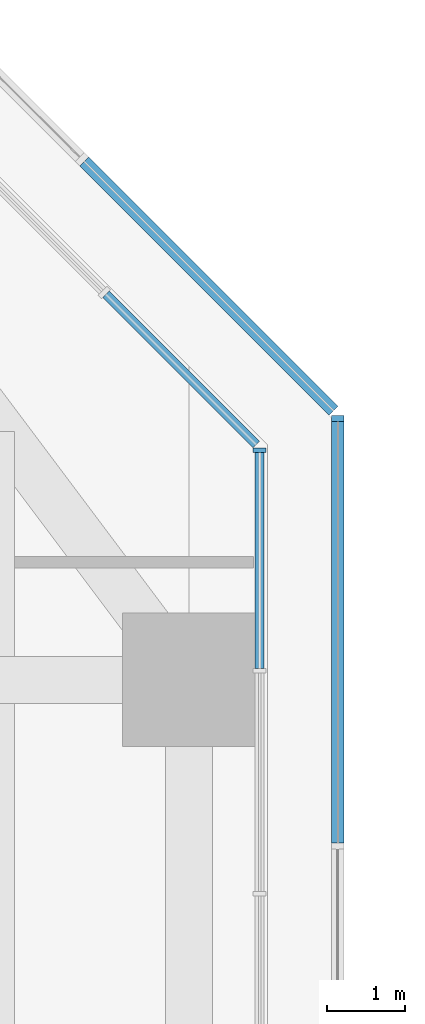
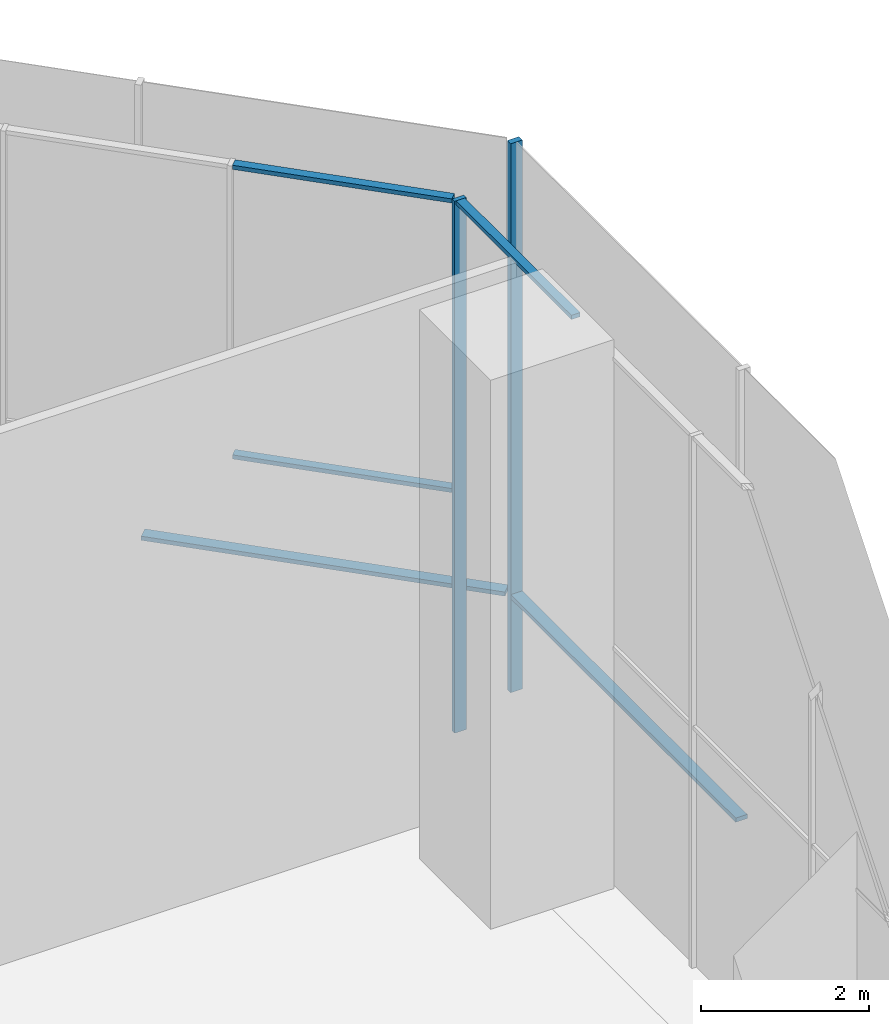
# One storey, part 13 of 25: 7 members, 4 elements without a shape of their own.
"""IFC4 building model written with IfcOpenShell, lengths in metres."""

from ifc_helpers import new_model, si_unit, direction, frame, origin, origin_2d, place, context, subcontext, project, spatial, rectangle, extrude, material, material_profile, profile_set, type_object, element, aggregate, save


model = new_model("IFC4")

# Units and contexts
model_context = context("Model", 3, precision=1e-05, world=origin(), true_north=direction((0.0, 1.0)))
body_context = subcontext(model_context, "Body", "Model", "MODEL_VIEW")
ifc_project = project(units=[si_unit("LENGTHUNIT", "METRE"), si_unit("AREAUNIT", "SQUARE_METRE"), si_unit("VOLUMEUNIT", "CUBIC_METRE"), si_unit("PLANEANGLEUNIT", "RADIAN"), si_unit("MASSUNIT", "GRAM", prefix="KILO")], contexts=[model_context])

# Site, building, storey
site_placement = place(None, origin())
site = spatial("IfcSite", under=ifc_project, at=site_placement, CompositionType="ELEMENT")
building_placement = place(site_placement, origin())
building = spatial("IfcBuilding", under=site, at=building_placement, Name="Mizan Broadcast Tower", CompositionType="ELEMENT")
storey_placement = place(building_placement, frame((0.0, 0.0, 15.0)))
storey = spatial("IfcBuildingStorey", under=building, at=storey_placement, Name="L02", CompositionType="ELEMENT", Elevation=15.0)

# Curtain wall, members
ifc_material_1 = material(Name="Aluminium framed glazing", Category="aluminium")
curtain_wall_type_1 = type_object("IfcCurtainWallType", Name="PODIUM CURTAIN WALL", PredefinedType="USERDEFINED", material=ifc_material_1)
curtain_wall_1_placement = place(storey_placement, origin())
curtain_wall_1 = element("IfcCurtainWall", 1, at=curtain_wall_1_placement, inside=storey, type_object=curtain_wall_type_1, Name="Podium curtain wall L02 N side", ObjectType="PODIUM CURTAIN WALL", PredefinedType="USERDEFINED")
ifc_material_2 = material(Name="Aluminium, pale anodised", Category="aluminium")
ifc_material_profile_1 = material_profile(ifc_material_2, rectangle(XDim=0.159912109375, YDim=0.06005859375, at=origin_2d()), Name="MULLION 160x60")
ifc_profile_set_1 = profile_set([ifc_material_profile_1], Name="Aluminium, pale anodised")
member_type_1 = type_object("IfcMemberType", Name="INNER SKIN MULLION 60x160", PredefinedType="MULLION", material=ifc_profile_set_1)
member_1_placement = place(storey_placement, frame((12.89990234375, 29.928466796875, 0.0), z_axis=(0.0, 0.0, 1.0), x_axis=(-1.0, 0.0, 0.0)))
member_1 = element("IfcMember", 2, at=member_1_placement, type_object=member_type_1, Name="Podium curtain wall L02 N side mullion 7", PredefinedType="MULLION", context=body_context, shape_type="SweptSolid", body=[
    extrude(rectangle(XDim=0.159912109375, YDim=0.06005859375, at=origin_2d()), origin(), (0.0, 0.0, 1.0), 7.75),
])
ifc_material_3 = material(Name="Aluminium, pale anodised", Category="aluminium")
ifc_material_profile_2 = material_profile(ifc_material_3, rectangle(XDim=0.1201171875, YDim=0.06005859375, at=origin_2d()), Name="TRANSOM 120x60")
ifc_profile_set_2 = profile_set([ifc_material_profile_2], Name="Aluminium, pale anodised")
member_type_2 = type_object("IfcMemberType", Name="INNER SKIN TRANSOM 60x120", PredefinedType="USERDEFINED", material=ifc_profile_set_2)
member_2_placement = place(storey_placement, frame((12.89990234375, 27.1455078125, 7.719970703125), z_axis=(0.0, 1.0, 0.0), x_axis=(-1.0, 0.0, 0.0)))
member_2 = element("IfcMember", 3, at=member_2_placement, type_object=member_type_2, Name="Podium curtain wall L02 N side transom 6.2", ObjectType="TRANSOM", PredefinedType="USERDEFINED", context=body_context, shape_type="SweptSolid", body=[
    extrude(rectangle(XDim=0.1201171875, YDim=0.06005859375, at=origin_2d()), origin(), (0.0, 0.0, 1.0), 2.753173828125),
])
aggregate(curtain_wall_1, [member_1, member_2])

curtain_wall_2_placement = place(storey_placement, origin())
curtain_wall_2 = element("IfcCurtainWall", 4, at=curtain_wall_2_placement, inside=storey, type_object=curtain_wall_type_1, Name="Podium curtain wall L02 N chamfer", ObjectType="PODIUM CURTAIN WALL", PredefinedType="USERDEFINED")
member_3_placement = place(storey_placement, frame((12.857666015625, 30.0009765625, 3.5), z_axis=(-0.707151809797, 0.707061749709, 0.0), x_axis=(-0.707061749709, -0.707151809797, 0.0)))
member_3 = element("IfcMember", 5, at=member_3_placement, type_object=member_type_2, Name="Podium curtain wall L02 N chamfer transom 1.1", ObjectType="TRANSOM", PredefinedType="USERDEFINED", context=body_context, shape_type="SweptSolid", body=[
    extrude(rectangle(XDim=0.1201171875, YDim=0.06005859375, at=origin_2d()), origin(), (0.0, 0.0, 1.0), 2.7109375),
])
member_4_placement = place(storey_placement, frame((12.857666015625, 30.0009765625, 7.719970703125), z_axis=(-0.707151809797, 0.707061749709, 0.0), x_axis=(-0.707061749709, -0.707151809797, 0.0)))
member_4 = element("IfcMember", 6, at=member_4_placement, type_object=member_type_2, Name="Podium curtain wall L02 N chamfer transom 1.2", ObjectType="TRANSOM", PredefinedType="USERDEFINED", context=body_context, shape_type="SweptSolid", body=[
    extrude(rectangle(XDim=0.1201171875, YDim=0.06005859375, at=origin_2d()), origin(), (0.0, 0.0, 1.0), 2.7109375),
])
aggregate(curtain_wall_2, [member_3, member_4])

ifc_material_4 = material(Name="Aluminium framed glazing", Category="aluminium")
curtain_wall_type_2 = type_object("IfcCurtainWallType", Name="OUTER SKIN", PredefinedType="USERDEFINED", material=ifc_material_4)
curtain_wall_3_placement = place(storey_placement, origin())
curtain_wall_3 = element("IfcCurtainWall", 7, at=curtain_wall_3_placement, inside=storey, type_object=curtain_wall_type_2, Name="Outer skin L02 N side", ObjectType="OUTER SKIN", PredefinedType="USERDEFINED")
ifc_material_5 = material(Name="Aluminium, pale anodised", Category="aluminium")
ifc_material_profile_3 = material_profile(ifc_material_5, rectangle(XDim=0.159912109375, YDim=0.080078125, at=origin_2d()), Name="MULLION 160x80")
ifc_profile_set_3 = profile_set([ifc_material_profile_3], Name="Aluminium, pale anodised")
member_type_3 = type_object("IfcMemberType", Name="OUTER SKIN MULLION 80x160", PredefinedType="MULLION", material=ifc_profile_set_3)
member_5_placement = place(storey_placement, frame((13.89990234375, 30.332763671875, 0.0), z_axis=(0.0, 0.0, 1.0), x_axis=(-1.0, 0.0, 0.0)))
member_5 = element("IfcMember", 8, at=member_5_placement, type_object=member_type_3, Name="Outer skin L02 N side mullion 4", PredefinedType="MULLION", context=body_context, shape_type="SweptSolid", body=[
    extrude(rectangle(XDim=0.159912109375, YDim=0.080078125, at=origin_2d()), origin(), (0.0, 0.0, 1.0), 8.0),
])
ifc_material_6 = material(Name="Aluminium, pale anodised", Category="aluminium")
ifc_material_profile_4 = material_profile(ifc_material_6, rectangle(XDim=0.159912109375, YDim=0.06005859375, at=origin_2d()), Name="TRANSOM 160x60")
ifc_profile_set_4 = profile_set([ifc_material_profile_4], Name="Aluminium, pale anodised")
member_type_4 = type_object("IfcMemberType", Name="OUTER SKIN TRANSOM 60x160", PredefinedType="USERDEFINED", material=ifc_profile_set_4)
member_6_placement = place(storey_placement, frame((13.89990234375, 24.921875, 1.39990234375), z_axis=(0.0, 1.0, 0.0), x_axis=(-1.0, 0.0, 0.0)))
member_6 = element("IfcMember", 9, at=member_6_placement, type_object=member_type_4, Name="Outer skin L02 N side transom 3.1", ObjectType="TRANSOM", PredefinedType="USERDEFINED", context=body_context, shape_type="SweptSolid", body=[
    extrude(rectangle(XDim=0.159912109375, YDim=0.06005859375, at=origin_2d()), origin(), (0.0, 0.0, 1.0), 5.370849609375),
])
aggregate(curtain_wall_3, [member_5, member_6])

# Curtain wall, member
curtain_wall_4_placement = place(storey_placement, origin())
curtain_wall_4 = element("IfcCurtainWall", 10, at=curtain_wall_4_placement, inside=storey, type_object=curtain_wall_type_2, Name="Outer skin L02 N chamfer", ObjectType="OUTER SKIN", PredefinedType="USERDEFINED")
member_7_placement = place(storey_placement, frame((13.843505859375, 30.429443359375, 1.39990234375), z_axis=(-0.707106781187, 0.707106781187, 0.0), x_axis=(-0.707106781187, -0.707106781187, 0.0)))
member_7 = element("IfcMember", 11, at=member_7_placement, type_object=member_type_4, Name="Outer skin L02 N chamfer transom 1.1", ObjectType="TRANSOM", PredefinedType="USERDEFINED", context=body_context, shape_type="SweptSolid", body=[
    extrude(rectangle(XDim=0.159912109375, YDim=0.06005859375, at=origin_2d()), origin(), (0.0, 0.0, 1.0), 4.495361328125),
])
aggregate(curtain_wall_4, [member_7])

save(model, "model.ifc")
